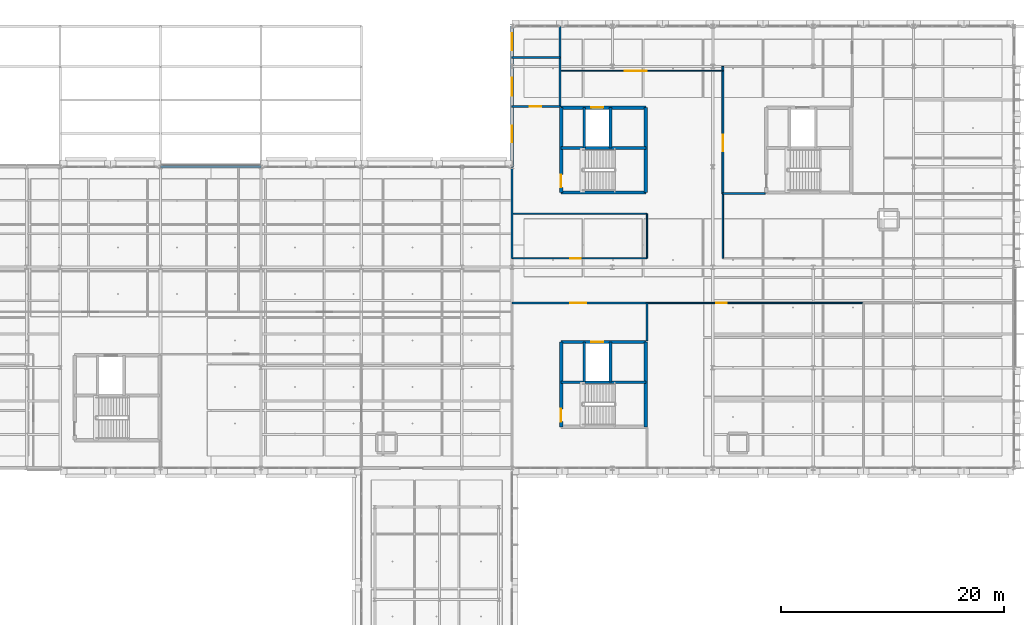
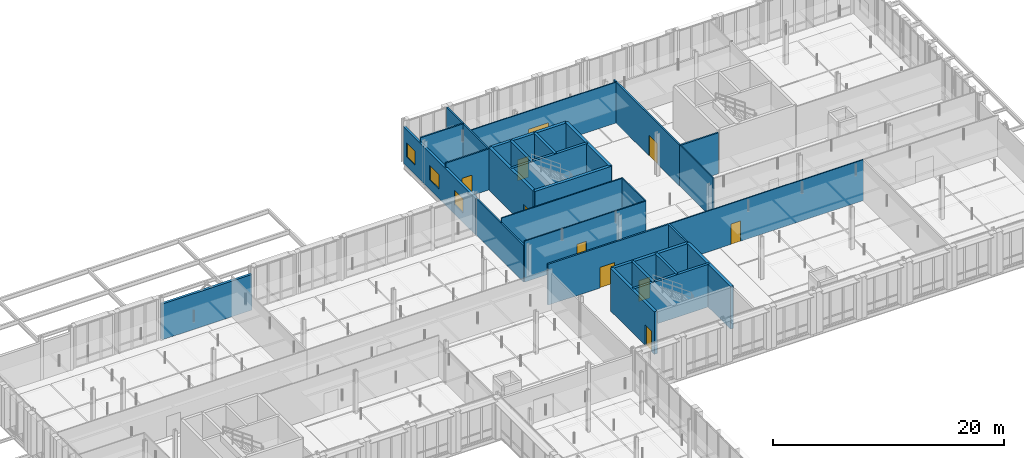
# One storey, part 92 of 140: 29 walls, 10 doors, 3 windows, 13 openings.
"""IFC4 building model written with IfcOpenShell, lengths in metres."""

import ifcopenshell
import ifcopenshell.guid

model = None  # the IFC model being written
_history = None  # IfcOwnerHistory: only IFC2X3 demands one
_inside = {}  # id of a spatial element -> (the spatial element, [elements in it])
_under = {}  # id of a project, library or spatial element -> (it, [spatial elements below it])
_declared = {}  # id of a project -> (the project, [libraries it declares])
_typed = {}  # id of a type object -> (the type object, [elements of that type])
_made_of = {}  # id of a material, layer set ... -> (it, [elements and type objects made of it])


def new_model(schema):
    """Start an empty IFC model of exactly this schema.

    Asked for "IFC4X3", IfcOpenShell would pick the latest addendum, in which some entities
    have other attributes; the version numbers below select the first issue.
    IFC2X3 requires an IfcOwnerHistory on every rooted entity: one is made here for all.
    """
    global model, _history
    if schema == "IFC4X3":
        model = ifcopenshell.file(schema_version=(4, 3, 0, 0))
    else:
        model = ifcopenshell.file(schema=schema)
    _inside.clear()
    _under.clear()
    _declared.clear()
    _typed.clear()
    _made_of.clear()
    _history = None
    if model.schema == "IFC2X3":
        org = make("IfcOrganization", Name="unknown")
        user = make(
            "IfcPersonAndOrganization",
            ThePerson=make("IfcPerson", FamilyName="unknown"),
            TheOrganization=org,
        )
        app = make(
            "IfcApplication",
            ApplicationDeveloper=org,
            Version="unknown",
            ApplicationFullName="unknown",
            ApplicationIdentifier="unknown",
        )
        _history = make(
            "IfcOwnerHistory",
            OwningUser=user,
            OwningApplication=app,
            ChangeAction="ADDED",
            CreationDate=0,
        )
    return model


def make(cls, **values):
    """One entity of the class cls with the attributes given. An attribute that is None is left unset."""
    return model.create_entity(
        cls, **{name: value for name, value in values.items() if value is not None}
    )


def rooted(cls, **values):
    """An entity with a GlobalId (a new one), such as an element, a storey or a relation."""
    return make(cls, GlobalId=ifcopenshell.guid.new(), OwnerHistory=_history, **values)


def si_unit(unit_type, name, prefix=None):
    """IfcSIUnit, for example si_unit("LENGTHUNIT", "METRE", prefix="MILLI")."""
    return make("IfcSIUnit", UnitType=unit_type, Prefix=prefix, Name=name)


def assignment(units):
    """IfcUnitAssignment: the units of a project."""
    return None if units is None else make("IfcUnitAssignment", Units=units)


def point(xyz):
    """IfcCartesianPoint."""
    return None if xyz is None else make("IfcCartesianPoint", Coordinates=xyz)


def direction(xyz):
    """IfcDirection."""
    return None if xyz is None else make("IfcDirection", DirectionRatios=xyz)


def frame(location, z_axis=None, x_axis=None):
    """IfcAxis2Placement3D, a coordinate frame: its origin and axes. An axis left out is left unset."""
    return make(
        "IfcAxis2Placement3D",
        Location=point(location),
        Axis=direction(z_axis),
        RefDirection=direction(x_axis),
    )


def frame_2d(location, x_axis=None):
    """IfcAxis2Placement2D, a coordinate frame in the plane: its origin and x axis."""
    return make(
        "IfcAxis2Placement2D", Location=point(location), RefDirection=direction(x_axis)
    )


def origin():
    """The frame at (0, 0, 0) with its axes left unset."""
    return frame((0.0, 0.0, 0.0))


def place(relative_to, where):
    """IfcLocalPlacement: puts the frame where relative to a parent placement (None: the world)."""
    return make(
        "IfcLocalPlacement", PlacementRelTo=relative_to, RelativePlacement=where
    )


def context(
    kind, dimensions, precision=None, world=None, true_north=None, identifier=None
):
    """IfcGeometricRepresentationContext, for example the 3D "Model" context."""
    return make(
        "IfcGeometricRepresentationContext",
        ContextIdentifier=identifier,
        ContextType=kind,
        CoordinateSpaceDimension=dimensions,
        Precision=precision,
        WorldCoordinateSystem=world,
        TrueNorth=true_north,
    )


def subcontext(parent, identifier, kind, view, scale=None):
    """IfcGeometricRepresentationSubContext, for example "Body" below "Model"."""
    return make(
        "IfcGeometricRepresentationSubContext",
        ContextIdentifier=identifier,
        ContextType=kind,
        ParentContext=parent,
        TargetScale=scale,
        TargetView=view,
    )


def project(units=None, contexts=None):
    """IfcProject with its units and contexts."""
    return rooted(
        "IfcProject",
        Name="project",
        RepresentationContexts=contexts,
        UnitsInContext=assignment(units),
    )


def spatial(cls, under=None, at=None, **own):
    """A site, building, storey or space (cls), placed at a placement, below another one or the project."""
    s = rooted(cls, ObjectPlacement=at, **own)
    if under is not None:
        _under.setdefault(under.id(), (under, []))[1].append(s)
    return s


def profile(cls, at=None, kind="AREA", **sizes):
    """A parametric profile (cls). Its sizes go by their IFC names, for example OverallWidth=200.0."""
    return make(cls, ProfileType=kind, Position=at, **sizes)


def rectangle(**sizes):
    """IfcRectangleProfileDef."""
    return profile("IfcRectangleProfileDef", **sizes)


def extrude(swept, where, along, depth):
    """IfcExtrudedAreaSolid: the profile swept, set in the frame where, extruded along a direction by depth."""
    return make(
        "IfcExtrudedAreaSolid",
        SweptArea=swept,
        Position=where,
        ExtrudedDirection=direction(along),
        Depth=depth,
    )


def shape(context_of_items, identifier, shape_type, items):
    """IfcShapeRepresentation: the items that make up one representation, for example the "Body"."""
    return make(
        "IfcShapeRepresentation",
        ContextOfItems=context_of_items,
        RepresentationIdentifier=identifier,
        RepresentationType=shape_type,
        Items=items,
    )


def material(Name=None, Category=None):
    """IfcMaterial."""
    return make("IfcMaterial", Name=Name, Category=Category)


def layer(
    of_material, thickness, ventilated=None, Name=None, Category=None, Priority=None
):
    """IfcMaterialLayer: one layer of a wall or slab, of a material (None: an air gap)."""
    return make(
        "IfcMaterialLayer",
        Material=of_material,
        LayerThickness=thickness,
        IsVentilated=ventilated,
        Name=Name,
        Category=Category,
        Priority=Priority,
    )


def layer_set(layers, Name=None):
    """IfcMaterialLayerSet."""
    return make("IfcMaterialLayerSet", MaterialLayers=layers, LayerSetName=Name)


def made_of(thing, what):
    """Note that an element or type object is made of a material, layer set ...; save() writes the relation."""
    if what is not None:
        _made_of.setdefault(what.id(), (what, []))[1].append(thing)
    return thing


def type_object(cls, material=None, **own):
    """A type object (cls), such as IfcWallType, which elements share."""
    return made_of(rooted(cls, **own), material)


def element(
    cls,
    number,
    at=None,
    inside=None,
    cuts=None,
    type_object=None,
    material=None,
    context=None,
    identifier="Body",
    shape_type=None,
    held_by="IfcProductDefinitionShape",
    body=None,
    shapes=None,
    **own,
):
    """One element of the class cls, such as IfcWall. Its Tag is "e" and its number.

    at: its placement. inside: the storey or other place that contains it. cuts: it is an
    opening in that element (IfcRelVoidsElement). A single representation is given by context,
    identifier, shape_type and body (its items); several are given by shapes. held_by: the class
    of the entity that holds the representations. save() writes the other relations.
    """
    e = rooted(cls, Tag="e%d" % number, ObjectPlacement=at, **own)
    if body is not None:
        shapes = [shape(context, identifier, shape_type, body)]
    if shapes is not None:
        e.Representation = make(held_by, Representations=shapes)
    if inside is not None:
        _inside.setdefault(inside.id(), (inside, []))[1].append(e)
    if cuts is not None:
        rooted(
            "IfcRelVoidsElement", RelatingBuildingElement=cuts, RelatedOpeningElement=e
        )
    if type_object is not None:
        _typed.setdefault(type_object.id(), (type_object, []))[1].append(e)
    return made_of(e, material)


def fill(opening, filler):
    """IfcRelFillsElement: the door or window that sits in an opening."""
    return rooted(
        "IfcRelFillsElement",
        RelatingOpeningElement=opening,
        RelatedBuildingElement=filler,
    )


def aggregate(whole, parts):
    """IfcRelAggregates: a whole, such as a stair, and the parts it consists of."""
    return rooted("IfcRelAggregates", RelatingObject=whole, RelatedObjects=parts)


def save(model, path):
    """Write the relations noted so far, then the file.

    IfcRelAggregates (storeys below a building ...), IfcRelContainedInSpatialStructure (elements
    in a storey), IfcRelDefinesByType, IfcRelAssociatesMaterial and IfcRelDeclares: one each for
    every whole, place, type object, material and project.
    """
    for whole, parts in _under.values():
        aggregate(whole, parts)
    for where, things in _inside.values():
        rooted(
            "IfcRelContainedInSpatialStructure",
            RelatedElements=things,
            RelatingStructure=where,
        )
    for kind, things in _typed.values():
        rooted("IfcRelDefinesByType", RelatedObjects=things, RelatingType=kind)
    for what, things in _made_of.values():
        rooted("IfcRelAssociatesMaterial", RelatedObjects=things, RelatingMaterial=what)
    for by, libraries in _declared.values():
        rooted("IfcRelDeclares", RelatingContext=by, RelatedDefinitions=libraries)
    model.write(path)


model = new_model("IFC4")

# Units and contexts
model_context = context("Model", 3, precision=1e-05, world=origin(), true_north=direction((0.0, 1.0)))
body_context = subcontext(model_context, "Body", "Model", "MODEL_VIEW")
ifc_project = project(units=[si_unit("LENGTHUNIT", "METRE"), si_unit("AREAUNIT", "SQUARE_METRE"), si_unit("VOLUMEUNIT", "CUBIC_METRE"), si_unit("PLANEANGLEUNIT", "RADIAN"), si_unit("MASSUNIT", "GRAM", prefix="KILO"), si_unit("THERMODYNAMICTEMPERATUREUNIT", "KELVIN"), si_unit("POWERUNIT", "WATT")], contexts=[model_context])

# Site, building, storey
site_placement = place(None, origin())
site = spatial("IfcSite", under=ifc_project, at=site_placement, CompositionType="ELEMENT")
building_placement = place(site_placement, origin())
building = spatial("IfcBuilding", under=site, at=building_placement, Name="Tallowbark Science Centre", CompositionType="ELEMENT")
storey_placement = place(building_placement, frame((0.0, 0.0, 9.89990234375)))
storey = spatial("IfcBuildingStorey", under=building, at=storey_placement, Name="L02", CompositionType="ELEMENT", Elevation=9.89990234375)

# Wall
ifc_material_1 = material(Name="Insulated Precast Concrete Panel Grade N40 (40 MPa)", Category="concrete")
ifc_layer_1 = layer(ifc_material_1, 0.25)
ifc_layer_set_1 = layer_set([ifc_layer_1], Name="Insulated Precast Concrete Panel Grade N40 (40 MPa)")
wall_type_1 = type_object("IfcWallType", Name="EWL-PRC-250", PredefinedType="STANDARD", material=ifc_layer_set_1)
wall_1_placement = place(storey_placement, frame((90.0, 99.0, 0.0), z_axis=(0.0, 0.0, 1.0), x_axis=(-1.0, 0.0, 0.0)))
element("IfcWall", 1, at=wall_1_placement, inside=storey, type_object=wall_type_1, Name="Exterior Wall LAB-N-L02-81", PredefinedType="STANDARD", context=body_context, shape_type="SweptSolid", body=[
    extrude(rectangle(XDim=9.0, YDim=0.25, at=frame_2d((4.5, 0.0))), origin(), (0.0, 0.0, 1.0), 3.76708984375),
])

# Wall, openings, windows
wall_2_placement = place(storey_placement, frame((112.5, 111.60009765625, 0.0), z_axis=(0.0, 0.0, 1.0), x_axis=(0.0, -1.0, 0.0)))
wall_2 = element("IfcWall", 2, at=wall_2_placement, inside=storey, type_object=wall_type_1, Name="Exterior Wall OBS-WN-L02", PredefinedType="STANDARD", context=body_context, shape_type="SweptSolid", body=[
    extrude(rectangle(XDim=12.60009765625, YDim=0.25, at=frame_2d((6.300048828125, 0.0))), origin(), (0.0, 0.0, 1.0), 3.84619140625),
])
opening_1_placement = place(wall_2_placement, frame((0.64990234375, 0.0, 1.0)))
opening_1 = element("IfcOpeningElement", 3, at=opening_1_placement, cuts=wall_2, Name="Opening W-08", PredefinedType="OPENING", context=body_context, shape_type="SweptSolid", body=[
    extrude(rectangle(XDim=1.5, YDim=1.5, at=frame_2d((0.75, 0.75))), frame((0.0, 0.135009765625, 0.0), z_axis=(0.0, -1.0, 0.0), x_axis=(1.0, 0.0, 0.0)), (0.0, 0.0, 1.0), 0.27001953125),
])
opening_2_placement = place(wall_2_placement, frame((8.89990234375, 0.0, 1.0)))
opening_2 = element("IfcOpeningElement", 4, at=opening_2_placement, cuts=wall_2, Name="Opening W-08", PredefinedType="OPENING", context=body_context, shape_type="SweptSolid", body=[
    extrude(rectangle(XDim=1.5, YDim=1.5, at=frame_2d((0.75, 0.75))), frame((0.0, 0.135009765625, 0.0), z_axis=(0.0, -1.0, 0.0), x_axis=(1.0, 0.0, 0.0)), (0.0, 0.0, 1.0), 0.27001953125),
])
opening_3_placement = place(wall_2_placement, frame((4.60009765625, 0.0, 1.0)))
opening_3 = element("IfcOpeningElement", 5, at=opening_3_placement, cuts=wall_2, Name="Opening WS-08", PredefinedType="OPENING", context=body_context, shape_type="SweptSolid", body=[
    extrude(rectangle(XDim=1.64990234375, YDim=1.550048828125, at=frame_2d((0.824951171875, 0.77490234375))), frame((0.0, 0.135009765625, 0.0), z_axis=(0.0, -1.0, 0.0), x_axis=(1.0, 0.0, 0.0)), (0.0, 0.0, 1.0), 0.27001953125),
])
ifc_material_2 = material(Name="Thermally Broken Aluminium and Low-E Double Glazing", Category="aluminium")
window_type_1 = type_object("IfcWindowType", Name="WIN-F150x150", PartitioningType="SINGLE_PANEL", PredefinedType="WINDOW", material=ifc_material_2)
window_1_placement = place(opening_1_placement, origin())
window_1 = element("IfcWindow", 6, at=window_1_placement, inside=storey, type_object=window_type_1, Name="Window WIN-L02-0045", OverallHeight=1.5, OverallWidth=1.5, PartitioningType="SINGLE_PANEL", PredefinedType="WINDOW", context=body_context, shape_type="SweptSolid", body=[
    extrude(rectangle(XDim=1.5, YDim=1.5, at=frame_2d((0.75, 0.75))), frame((0.0, 0.030029296875, 0.0), z_axis=(0.0, -1.0, 0.0), x_axis=(1.0, 0.0, 0.0)), (0.0, 0.0, 1.0), 0.06005859375),
])
fill(opening_1, window_1)
window_2_placement = place(opening_2_placement, origin())
window_2 = element("IfcWindow", 7, at=window_2_placement, inside=storey, type_object=window_type_1, Name="Window WIN-L02-0046", OverallHeight=1.5, OverallWidth=1.5, PartitioningType="SINGLE_PANEL", PredefinedType="WINDOW", context=body_context, shape_type="SweptSolid", body=[
    extrude(rectangle(XDim=1.5, YDim=1.5, at=frame_2d((0.75, 0.75))), frame((0.0, 0.030029296875, 0.0), z_axis=(0.0, -1.0, 0.0), x_axis=(1.0, 0.0, 0.0)), (0.0, 0.0, 1.0), 0.06005859375),
])
fill(opening_2, window_2)
window_type_2 = type_object("IfcWindowType", Name="WIN-SP-165x155", PartitioningType="SINGLE_PANEL", PredefinedType="WINDOW", material=ifc_material_2)
window_3_placement = place(opening_3_placement, origin())
window_3 = element("IfcWindow", 8, at=window_3_placement, inside=storey, type_object=window_type_2, Name="Acoustic Window WSP-08", OverallHeight=1.550048828125, OverallWidth=1.64990234375, PartitioningType="SINGLE_PANEL", PredefinedType="WINDOW", context=body_context, shape_type="SweptSolid", body=[
    extrude(rectangle(XDim=1.64990234375, YDim=1.550048828125, at=frame_2d((0.824951171875, 0.77490234375))), frame((0.0, 0.030029296875, 0.0), z_axis=(0.0, -1.0, 0.0), x_axis=(1.0, 0.0, 0.0)), (0.0, 0.0, 1.0), 0.06005859375),
])
fill(opening_3, window_3)

# Wall, opening, door
ifc_material_3 = material(Name="116 mm Acoustic Steel Stud and 16 mm Fire-Rated Plasterboard", Category="steel")
ifc_layer_2 = layer(ifc_material_3, 0.115966796875)
ifc_layer_set_2 = layer_set([ifc_layer_2], Name="116 mm Acoustic Steel Stud and 16 mm Fire-Rated Plasterboard")
wall_type_2 = type_object("IfcWallType", Name="PTW-116", PredefinedType="PARTITIONING", material=ifc_layer_set_2)
wall_3_placement = place(storey_placement, frame((112.5, 90.800048828125, 0.0), z_axis=(0.0, 0.0, 1.0), x_axis=(1.0, 0.0, 0.0)))
wall_3 = element("IfcWall", 9, at=wall_3_placement, inside=storey, type_object=wall_type_2, Name="Interior Partition PTW-L02-0235", PredefinedType="PARTITIONING", context=body_context, shape_type="SweptSolid", body=[
    extrude(rectangle(XDim=12.10009765625, YDim=0.115966796875, at=frame_2d((6.050048828125, 0.0))), origin(), (0.0, 0.0, 1.0), 4.320068359375),
])
opening_4_placement = place(wall_3_placement, frame((5.199951171875, 0.0, 0.0)))
opening_4 = element("IfcOpeningElement", 10, at=opening_4_placement, cuts=wall_3, Name="Opening ID-04", PredefinedType="OPENING", context=body_context, shape_type="SweptSolid", body=[
    extrude(rectangle(XDim=0.949951171875, YDim=2.14990234375, at=frame_2d((0.47509765625, 1.074951171875))), frame((0.0, 0.06787109375, 0.0), z_axis=(0.0, -1.0, 0.0), x_axis=(1.0, 0.0, 0.0)), (0.0, 0.0, 1.0), 0.135986328125),
])
ifc_material_4 = material(Name="Solid-Core Timber Veneer Leaf", Category="wood")
door_type_1 = type_object("IfcDoorType", Name="IDR-OFF-095", OperationType="NOTDEFINED", PredefinedType="DOOR", material=ifc_material_4)
door_1_placement = place(opening_4_placement, origin())
door_1 = element("IfcDoor", 11, at=door_1_placement, inside=storey, type_object=door_type_1, Name="Interior Door IDR-L02-0102", OperationType="SINGLE_SWING_LEFT", OverallHeight=2.14990234375, OverallWidth=0.949951171875, PredefinedType="DOOR", context=body_context, shape_type="SweptSolid", body=[
    extrude(rectangle(XDim=0.949951171875, YDim=2.14990234375, at=frame_2d((0.47509765625, 1.074951171875))), frame((0.0, 0.02490234375, 0.0), z_axis=(0.0, -1.0, 0.0), x_axis=(1.0, 0.0, 0.0)), (0.0, 0.0, 1.0), 0.050048828125),
])
fill(opening_4, door_1)

# Walls
wall_4_placement = place(storey_placement, frame((112.5, 94.800048828125, 0.0), z_axis=(0.0, 0.0, 1.0), x_axis=(1.0, 0.0, 0.0)))
element("IfcWall", 12, at=wall_4_placement, inside=storey, type_object=wall_type_2, Name="Interior Partition PTW-L02-0236", PredefinedType="PARTITIONING", context=body_context, shape_type="SweptSolid", body=[
    extrude(rectangle(XDim=12.10009765625, YDim=0.115966796875, at=frame_2d((6.050048828125, 0.0))), origin(), (0.0, 0.0, 1.0), 4.320068359375),
])
wall_5_placement = place(storey_placement, frame((124.60009765625, 90.800048828125, 0.0), z_axis=(0.0, 0.0, 1.0), x_axis=(0.0, 1.0, 0.0)))
element("IfcWall", 13, at=wall_5_placement, inside=storey, type_object=wall_type_2, Name="Interior Partition PTW-L02-0237", PredefinedType="PARTITIONING", context=body_context, shape_type="SweptSolid", body=[
    extrude(rectangle(XDim=4.0, YDim=0.115966796875, at=frame_2d((2.0, 0.0))), origin(), (0.0, 0.0, 1.0), 4.320068359375),
])
wall_6_placement = place(storey_placement, frame((131.39990234375, 90.800048828125, 0.0), z_axis=(0.0, 0.0, 1.0), x_axis=(0.0, 1.0, 0.0)))
element("IfcWall", 14, at=wall_6_placement, inside=storey, type_object=wall_type_2, Name="Interior Partition PTW-L02-0243", PredefinedType="PARTITIONING", context=body_context, shape_type="SweptSolid", body=[
    extrude(rectangle(XDim=5.800048828125, YDim=0.115966796875, at=frame_2d((2.89990234375, 0.0))), origin(), (0.0, 0.0, 1.0), 4.320068359375),
])

# Wall, opening, door
ifc_material_5 = material(Name="150 mm Wet-Area Moisture-Resistant Partition")
ifc_layer_3 = layer(ifc_material_5, 0.14990234375)
ifc_layer_set_3 = layer_set([ifc_layer_3], Name="150 mm Wet-Area Moisture-Resistant Partition")
wall_type_3 = type_object("IfcWallType", Name="PTW-150", PredefinedType="PARTITIONING", material=ifc_layer_set_3)
wall_7_placement = place(storey_placement, frame((112.5, 104.39990234375, 0.0), z_axis=(0.0, 0.0, 1.0), x_axis=(1.0, 0.0, 0.0)))
wall_7 = element("IfcWall", 15, at=wall_7_placement, inside=storey, type_object=wall_type_3, Name="Interior Partition PTW-L02-0238", PredefinedType="PARTITIONING", context=body_context, shape_type="SweptSolid", body=[
    extrude(rectangle(XDim=4.300048828125, YDim=0.14990234375, at=frame_2d((2.14990234375, 0.0))), origin(), (0.0, 0.0, 1.0), 4.320068359375),
])
opening_5_placement = place(wall_7_placement, frame((1.60009765625, 0.0, 0.0)))
opening_5 = element("IfcOpeningElement", 16, at=opening_5_placement, cuts=wall_7, Name="Opening ID-06", PredefinedType="OPENING", context=body_context, shape_type="SweptSolid", body=[
    extrude(rectangle(XDim=1.0, YDim=2.14990234375, at=frame_2d((0.5, 1.074951171875))), frame((0.0, 0.0849609375, 0.0), z_axis=(0.0, -1.0, 0.0), x_axis=(1.0, 0.0, 0.0)), (0.0, 0.0, 1.0), 0.169921875),
])
ifc_material_6 = material(Name="Accessible Cavity Sliding Leaf")
door_type_2 = type_object("IfcDoorType", Name="IDR-AWC-100", OperationType="SLIDING_TO_LEFT", PredefinedType="DOOR", material=ifc_material_6)
door_2_placement = place(opening_5_placement, origin())
door_2 = element("IfcDoor", 17, at=door_2_placement, inside=storey, type_object=door_type_2, Name="Interior Door IDR-L02-0103", OperationType="SLIDING_TO_LEFT", OverallHeight=2.14990234375, OverallWidth=1.0, PredefinedType="DOOR", context=body_context, shape_type="SweptSolid", body=[
    extrude(rectangle(XDim=1.0, YDim=2.14990234375, at=frame_2d((0.5, 1.074951171875))), frame((0.0, 0.02490234375, 0.0), z_axis=(0.0, -1.0, 0.0), x_axis=(1.0, 0.0, 0.0)), (0.0, 0.0, 1.0), 0.050048828125),
])
fill(opening_5, door_2)

# Walls
wall_8_placement = place(storey_placement, frame((112.5, 108.800048828125, 0.0), z_axis=(0.0, 0.0, 1.0), x_axis=(1.0, 0.0, 0.0)))
element("IfcWall", 18, at=wall_8_placement, inside=storey, type_object=wall_type_3, Name="Interior Partition PTW-L02-0239", PredefinedType="PARTITIONING", context=body_context, shape_type="SweptSolid", body=[
    extrude(rectangle(XDim=4.300048828125, YDim=0.14990234375, at=frame_2d((2.14990234375, 0.0))), origin(), (0.0, 0.0, 1.0), 4.320068359375),
])
wall_9_placement = place(storey_placement, frame((116.800048828125, 104.39990234375, 0.0), z_axis=(0.0, 0.0, 1.0), x_axis=(0.0, 1.0, 0.0)))
element("IfcWall", 19, at=wall_9_placement, inside=storey, type_object=wall_type_3, Name="Interior Partition PTW-L02-0240", PredefinedType="PARTITIONING", context=body_context, shape_type="SweptSolid", body=[
    extrude(rectangle(XDim=7.2001953125, YDim=0.14990234375, at=frame_2d((3.60009765625, 0.0))), origin(), (0.0, 0.0, 1.0), 4.320068359375),
])
ifc_material_7 = material(Name="162 mm Double-Stud Fire-Rated Corridor Partition")
ifc_layer_4 = layer(ifc_material_7, 0.162109375)
ifc_layer_set_4 = layer_set([ifc_layer_4], Name="162 mm Double-Stud Fire-Rated Corridor Partition")
wall_type_4 = type_object("IfcWallType", Name="PTW-162", PredefinedType="PARTITIONING", material=ifc_layer_set_4)
wall_10_placement = place(storey_placement, frame((112.5, 90.800048828125, 0.0), z_axis=(0.0, 0.0, 1.0), x_axis=(0.0, 1.0, 0.0)))
element("IfcWall", 20, at=wall_10_placement, inside=storey, type_object=wall_type_4, Name="Interior Partition PTW-L02-0006", PredefinedType="PARTITIONING", context=body_context, shape_type="SweptSolid", body=[
    extrude(rectangle(XDim=8.199951171875, YDim=0.162109375, at=frame_2d((4.10009765625, 0.0))), origin(), (0.0, 0.0, 1.0), 3.84619140625),
])

# Wall, opening, door
wall_11_placement = place(storey_placement, frame((112.5, 86.800048828125, 0.0), z_axis=(0.0, 0.0, 1.0), x_axis=(1.0, 0.0, 0.0)))
wall_11 = element("IfcWall", 21, at=wall_11_placement, inside=storey, type_object=wall_type_4, Name="Interior Partition PTW-L02-0030", PredefinedType="PARTITIONING", context=body_context, shape_type="SweptSolid", body=[
    extrude(rectangle(XDim=12.10009765625, YDim=0.162109375, at=frame_2d((6.050048828125, 0.0))), origin(), (0.0, 0.0, 1.0), 4.320068359375),
])
opening_6_placement = place(wall_11_placement, frame((5.199951171875, 0.0, 0.0)))
opening_6 = element("IfcOpeningElement", 22, at=opening_6_placement, cuts=wall_11, Name="Opening DS-07", PredefinedType="OPENING", context=body_context, shape_type="SweptSolid", body=[
    extrude(rectangle(XDim=1.449951171875, YDim=2.175048828125, at=frame_2d((0.72509765625, 1.08740234375))), frame((0.0, 0.091064453125, 0.0), z_axis=(0.0, -1.0, 0.0), x_axis=(1.0, 0.0, 0.0)), (0.0, 0.0, 1.0), 0.18212890625),
])
ifc_material_8 = material(Name="Fire-Rated Glazed Steel Pair", Category="steel")
door_type_3 = type_object("IfcDoorType", Name="FDR-LOB-145-S07", OperationType="DOUBLE_DOOR_SINGLE_SWING", PredefinedType="DOOR", material=ifc_material_8)
door_3_placement = place(opening_6_placement, origin())
door_3 = element("IfcDoor", 23, at=door_3_placement, inside=storey, type_object=door_type_3, Name="Interior Door IDR-L02-0007", OperationType="DOUBLE_DOOR_SINGLE_SWING", OverallHeight=2.175048828125, OverallWidth=1.449951171875, PredefinedType="DOOR", context=body_context, shape_type="SweptSolid", body=[
    extrude(rectangle(XDim=1.449951171875, YDim=2.175048828125, at=frame_2d((0.72509765625, 1.08740234375))), frame((0.0, 0.02490234375, 0.0), z_axis=(0.0, -1.0, 0.0), x_axis=(1.0, 0.0, 0.0)), (0.0, 0.0, 1.0), 0.050048828125),
])
fill(opening_6, door_3)

# Wall
wall_12_placement = place(storey_placement, frame((124.60009765625, 83.39990234375, 0.0), z_axis=(0.0, 0.0, 1.0), x_axis=(0.0, 1.0, 0.0)))
element("IfcWall", 24, at=wall_12_placement, inside=storey, type_object=wall_type_4, Name="Interior Partition PTW-L02-0031", PredefinedType="PARTITIONING", context=body_context, shape_type="SweptSolid", body=[
    extrude(rectangle(XDim=3.400146484375, YDim=0.162109375, at=frame_2d((1.7001953125, 0.0))), origin(), (0.0, 0.0, 1.0), 4.320068359375),
])

# Wall, opening, door
wall_13_placement = place(storey_placement, frame((131.39990234375, 96.60009765625, 0.0), z_axis=(0.0, 0.0, 1.0), x_axis=(0.0, 1.0, 0.0)))
wall_13 = element("IfcWall", 25, at=wall_13_placement, inside=storey, type_object=wall_type_4, Name="Interior Partition PTW-L02-0033", PredefinedType="PARTITIONING", context=body_context, shape_type="SweptSolid", body=[
    extrude(rectangle(XDim=11.39990234375, YDim=0.162109375, at=frame_2d((5.699951171875, 0.0))), origin(), (0.0, 0.0, 1.0), 4.320068359375),
])
opening_7_placement = place(wall_13_placement, frame((3.800048828125, 0.0, 0.0)))
opening_7 = element("IfcOpeningElement", 26, at=opening_7_placement, cuts=wall_13, Name="Opening DS-08", PredefinedType="OPENING", context=body_context, shape_type="SweptSolid", body=[
    extrude(rectangle(XDim=1.469970703125, YDim=2.175048828125, at=frame_2d((0.73486328125, 1.08740234375))), frame((0.0, 0.091064453125, 0.0), z_axis=(0.0, -1.0, 0.0), x_axis=(1.0, 0.0, 0.0)), (0.0, 0.0, 1.0), 0.18212890625),
])
door_type_4 = type_object("IfcDoorType", Name="FDR-LOB-145-S08", OperationType="DOUBLE_DOOR_SINGLE_SWING", PredefinedType="DOOR", material=ifc_material_8)
door_4_placement = place(opening_7_placement, origin())
door_4 = element("IfcDoor", 27, at=door_4_placement, inside=storey, type_object=door_type_4, Name="Interior Door IDR-L02-0008", OperationType="DOUBLE_DOOR_SINGLE_SWING", OverallHeight=2.175048828125, OverallWidth=1.469970703125, PredefinedType="DOOR", context=body_context, shape_type="SweptSolid", body=[
    extrude(rectangle(XDim=1.469970703125, YDim=2.175048828125, at=frame_2d((0.73486328125, 1.08740234375))), frame((0.0, 0.02490234375, 0.0), z_axis=(0.0, -1.0, 0.0), x_axis=(1.0, 0.0, 0.0)), (0.0, 0.0, 1.0), 0.050048828125),
])
fill(opening_7, door_4)

# Wall
wall_14_placement = place(storey_placement, frame((131.39990234375, 96.60009765625, 0.0), z_axis=(0.0, 0.0, 1.0), x_axis=(1.0, 0.0, 0.0)))
element("IfcWall", 28, at=wall_14_placement, inside=storey, type_object=wall_type_4, Name="Interior Partition PTW-L02-0034", PredefinedType="PARTITIONING", context=body_context, shape_type="SweptSolid", body=[
    extrude(rectangle(XDim=3.800048828125, YDim=0.162109375, at=frame_2d((1.89990234375, 0.0))), origin(), (0.0, 0.0, 1.0), 4.320068359375),
])

# Wall, opening, door
ifc_material_9 = material(Name="108 mm Acoustic Double-Glazed Laboratory Partition")
ifc_layer_5 = layer(ifc_material_9, 0.10791015625)
ifc_layer_set_5 = layer_set([ifc_layer_5], Name="108 mm Acoustic Double-Glazed Laboratory Partition")
wall_type_5 = type_object("IfcWallType", Name="PTW-GLZ-108", PredefinedType="PARTITIONING", material=ifc_layer_set_5)
wall_15_placement = place(storey_placement, frame((124.60009765625, 86.800048828125, 0.0), z_axis=(0.0, 0.0, 1.0), x_axis=(1.0, 0.0, 0.0)))
wall_15 = element("IfcWall", 29, at=wall_15_placement, inside=storey, type_object=wall_type_5, Name="Interior Partition PTW-L02-0232", PredefinedType="PARTITIONING", context=body_context, shape_type="SweptSolid", body=[
    extrude(rectangle(XDim=19.39990234375, YDim=0.10791015625, at=frame_2d((9.699951171875, 0.0))), origin(), (0.0, 0.0, 1.0), 4.320068359375),
])
opening_8_placement = place(wall_15_placement, frame((6.199951171875, 0.0, 0.0)))
opening_8 = element("IfcOpeningElement", 30, at=opening_8_placement, cuts=wall_15, Name="Opening ID-04", PredefinedType="OPENING", context=body_context, shape_type="SweptSolid", body=[
    extrude(rectangle(XDim=0.949951171875, YDim=2.14990234375, at=frame_2d((0.47509765625, 1.074951171875))), frame((0.0, 0.06396484375, 0.0), z_axis=(0.0, -1.0, 0.0), x_axis=(1.0, 0.0, 0.0)), (0.0, 0.0, 1.0), 0.1279296875),
])
door_5_placement = place(opening_8_placement, origin())
door_5 = element("IfcDoor", 31, at=door_5_placement, inside=storey, type_object=door_type_1, Name="Interior Door IDR-L02-0100", OperationType="SINGLE_SWING_RIGHT", OverallHeight=2.14990234375, OverallWidth=0.949951171875, PredefinedType="DOOR", context=body_context, shape_type="SweptSolid", body=[
    extrude(rectangle(XDim=0.949951171875, YDim=2.14990234375, at=frame_2d((0.47509765625, 1.074951171875))), frame((0.0, 0.02490234375, 0.0), z_axis=(0.0, -1.0, 0.0), x_axis=(1.0, 0.0, 0.0)), (0.0, 0.0, 1.0), 0.050048828125),
])
fill(opening_8, door_5)

wall_16_placement = place(storey_placement, frame((116.800048828125, 107.60009765625, 0.0), z_axis=(0.0, 0.0, 1.0), x_axis=(1.0, 0.0, 0.0)))
wall_16 = element("IfcWall", 32, at=wall_16_placement, inside=storey, type_object=wall_type_5, Name="Interior Partition PTW-L02-0241", PredefinedType="PARTITIONING", context=body_context, shape_type="SweptSolid", body=[
    extrude(rectangle(XDim=14.599853515625, YDim=0.10791015625, at=frame_2d((7.2998046875, 0.0))), origin(), (0.0, 0.0, 1.0), 4.320068359375),
])
opening_9_placement = place(wall_16_placement, frame((5.800048828125, 0.0, 0.0)))
opening_9 = element("IfcOpeningElement", 33, at=opening_9_placement, cuts=wall_16, Name="Opening ID-02", PredefinedType="OPENING", context=body_context, shape_type="SweptSolid", body=[
    extrude(rectangle(XDim=2.0, YDim=2.39990234375, at=frame_2d((1.0, 1.199951171875))), frame((0.0, 0.06396484375, 0.0), z_axis=(0.0, -1.0, 0.0), x_axis=(1.0, 0.0, 0.0)), (0.0, 0.0, 1.0), 0.1279296875),
])
ifc_material_10 = material(Name="Spotted Gum Acoustic Gallery Pair", Category="wood")
door_type_5 = type_object("IfcDoorType", Name="IDR-GAL-200", OperationType="DOUBLE_DOOR_DOUBLE_SWING", PredefinedType="DOOR", material=ifc_material_10)
door_6_placement = place(opening_9_placement, origin())
door_6 = element("IfcDoor", 34, at=door_6_placement, inside=storey, type_object=door_type_5, Name="Interior Door IDR-L02-0104", OperationType="DOUBLE_DOOR_DOUBLE_SWING", OverallHeight=2.39990234375, OverallWidth=2.0, PredefinedType="DOOR", context=body_context, shape_type="SweptSolid", body=[
    extrude(rectangle(XDim=2.0, YDim=2.39990234375, at=frame_2d((1.0, 1.199951171875))), frame((0.0, 0.02490234375, 0.0), z_axis=(0.0, -1.0, 0.0), x_axis=(1.0, 0.0, 0.0)), (0.0, 0.0, 1.0), 0.050048828125),
])
fill(opening_9, door_6)

ifc_material_11 = material(Name="Concrete Grade N40 (40 MPa)", Category="concrete")
ifc_layer_6 = layer(ifc_material_11, 0.300048828125)
ifc_layer_set_6 = layer_set([ifc_layer_6], Name="Concrete Grade N40 (40 MPa)")
wall_type_6 = type_object("IfcWallType", Name="WL-CORE-300", PredefinedType="SHEAR", material=ifc_layer_set_6)
wall_17_placement = place(storey_placement, frame((116.89990234375, 75.699951171875, 0.0), z_axis=(0.0, 0.0, 1.0), x_axis=(0.0, 1.0, 0.0)))
wall_17 = element("IfcWall", 35, at=wall_17_placement, inside=storey, type_object=wall_type_6, Name="Core C2 Shear Wall L02 W", PredefinedType="SHEAR", context=body_context, shape_type="SweptSolid", body=[
    extrude(rectangle(XDim=7.60009765625, YDim=0.300048828125, at=frame_2d((3.800048828125, 0.0))), origin(), (0.0, 0.0, 1.0), 4.5),
])
opening_10_placement = place(wall_17_placement, frame((0.449951171875, 0.0, 0.0)))
opening_10 = element("IfcOpeningElement", 36, at=opening_10_placement, cuts=wall_17, Name="Opening FD-01", PredefinedType="OPENING", context=body_context, shape_type="SweptSolid", body=[
    extrude(rectangle(XDim=1.14990234375, YDim=2.14990234375, at=frame_2d((0.574951171875, 1.074951171875))), frame((0.0, 0.16015625, 0.0), z_axis=(0.0, -1.0, 0.0), x_axis=(1.0, 0.0, 0.0)), (0.0, 0.0, 1.0), 0.320068359375),
])
ifc_material_12 = material(Name="Fire-Rated Pressed Steel Frame and Solid Core Leaf", Category="steel")
door_type_6 = type_object("IfcDoorType", Name="FDR-STR-115", OperationType="NOTDEFINED", PredefinedType="DOOR", material=ifc_material_12)
door_7_placement = place(opening_10_placement, origin())
door_7 = element("IfcDoor", 37, at=door_7_placement, inside=storey, type_object=door_type_6, Name="Stair ST-02 Fire Door L02", OperationType="SINGLE_SWING_LEFT", OverallHeight=2.14990234375, OverallWidth=1.14990234375, PredefinedType="DOOR", context=body_context, shape_type="SweptSolid", body=[
    extrude(rectangle(XDim=1.14990234375, YDim=2.14990234375, at=frame_2d((0.574951171875, 1.074951171875))), frame((0.0, 0.02490234375, 0.0), z_axis=(0.0, -1.0, 0.0), x_axis=(1.0, 0.0, 0.0)), (0.0, 0.0, 1.0), 0.050048828125),
])
fill(opening_10, door_7)

# Wall
wall_18_placement = place(storey_placement, frame((124.5, 75.699951171875, 0.0), z_axis=(0.0, 0.0, 1.0), x_axis=(0.0, 1.0, 0.0)))
element("IfcWall", 38, at=wall_18_placement, inside=storey, type_object=wall_type_6, Name="Core C2 Shear Wall L02 E", PredefinedType="SHEAR", context=body_context, shape_type="SweptSolid", body=[
    extrude(rectangle(XDim=7.60009765625, YDim=0.300048828125, at=frame_2d((3.800048828125, 0.0))), origin(), (0.0, 0.0, 1.0), 4.5),
])

# Wall, opening, door
wall_19_placement = place(storey_placement, frame((116.89990234375, 83.300048828125, 0.0), z_axis=(0.0, 0.0, 1.0), x_axis=(1.0, 0.0, 0.0)))
wall_19 = element("IfcWall", 39, at=wall_19_placement, inside=storey, type_object=wall_type_6, Name="Core C2 Shear Wall L02 N", PredefinedType="SHEAR", context=body_context, shape_type="SweptSolid", body=[
    extrude(rectangle(XDim=7.60009765625, YDim=0.300048828125, at=frame_2d((3.800048828125, 0.0))), origin(), (0.0, 0.0, 1.0), 4.5),
])
opening_11_placement = place(wall_19_placement, frame((2.699951171875, 0.0, 0.0)))
opening_11 = element("IfcOpeningElement", 40, at=opening_11_placement, cuts=wall_19, Name="Opening LD-01", PredefinedType="OPENING", context=body_context, shape_type="SweptSolid", body=[
    extrude(rectangle(XDim=1.10009765625, YDim=2.199951171875, at=frame_2d((0.550048828125, 1.10009765625))), frame((0.0, 0.16015625, 0.0), z_axis=(0.0, -1.0, 0.0), x_axis=(1.0, 0.0, 0.0)), (0.0, 0.0, 1.0), 0.320068359375),
])
ifc_material_13 = material(Name="Brushed Stainless Steel Centre-Parting Lift Landing Door", Category="steel")
door_type_7 = type_object("IfcDoorType", Name="LDR-LFT-110", OperationType="DOUBLE_DOOR_SLIDING", PredefinedType="DOOR", material=ifc_material_13)
door_8_placement = place(opening_11_placement, origin())
door_8 = element("IfcDoor", 41, at=door_8_placement, inside=storey, type_object=door_type_7, Name="Lift LF-02 Landing Door L02", OperationType="DOUBLE_DOOR_SLIDING", OverallHeight=2.199951171875, OverallWidth=1.10009765625, PredefinedType="DOOR", context=body_context, shape_type="SweptSolid", body=[
    extrude(rectangle(XDim=1.10009765625, YDim=2.199951171875, at=frame_2d((0.550048828125, 1.10009765625))), frame((0.0, 0.02490234375, 0.0), z_axis=(0.0, -1.0, 0.0), x_axis=(1.0, 0.0, 0.0)), (0.0, 0.0, 1.0), 0.050048828125),
])
fill(opening_11, door_8)

wall_20_placement = place(storey_placement, frame((116.89990234375, 96.699951171875, 0.0), z_axis=(0.0, 0.0, 1.0), x_axis=(0.0, 1.0, 0.0)))
wall_20 = element("IfcWall", 42, at=wall_20_placement, inside=storey, type_object=wall_type_6, Name="Core C5 Shear Wall L02 W", PredefinedType="SHEAR", context=body_context, shape_type="SweptSolid", body=[
    extrude(rectangle(XDim=7.60009765625, YDim=0.300048828125, at=frame_2d((3.800048828125, 0.0))), origin(), (0.0, 0.0, 1.0), 4.5),
])
opening_12_placement = place(wall_20_placement, frame((0.449951171875, 0.0, 0.0)))
opening_12 = element("IfcOpeningElement", 43, at=opening_12_placement, cuts=wall_20, Name="Opening FD-01", PredefinedType="OPENING", context=body_context, shape_type="SweptSolid", body=[
    extrude(rectangle(XDim=1.14990234375, YDim=2.14990234375, at=frame_2d((0.574951171875, 1.074951171875))), frame((0.0, 0.16015625, 0.0), z_axis=(0.0, -1.0, 0.0), x_axis=(1.0, 0.0, 0.0)), (0.0, 0.0, 1.0), 0.320068359375),
])
door_9_placement = place(opening_12_placement, origin())
door_9 = element("IfcDoor", 44, at=door_9_placement, inside=storey, type_object=door_type_6, Name="Stair ST-05 Fire Door L02", OperationType="SINGLE_SWING_LEFT", OverallHeight=2.14990234375, OverallWidth=1.14990234375, PredefinedType="DOOR", context=body_context, shape_type="SweptSolid", body=[
    extrude(rectangle(XDim=1.14990234375, YDim=2.14990234375, at=frame_2d((0.574951171875, 1.074951171875))), frame((0.0, 0.02490234375, 0.0), z_axis=(0.0, -1.0, 0.0), x_axis=(1.0, 0.0, 0.0)), (0.0, 0.0, 1.0), 0.050048828125),
])
fill(opening_12, door_9)

# Walls
for number, where, z_axis, x_axis, name in (
    (45, (124.5, 96.699951171875, 0.0), (0.0, 0.0, 1.0), (0.0, 1.0, 0.0), "Core C5 Shear Wall L02 E"),
    (46, (116.89990234375, 96.699951171875, 0.0), (0.0, 0.0, 1.0), (1.0, 0.0, 0.0), "Core C5 Shear Wall L02 S"),
):
    element("IfcWall", number, at=place(storey_placement, frame(where, z_axis=z_axis, x_axis=x_axis)), inside=storey, type_object=wall_type_6, Name=name, PredefinedType="SHEAR", context=body_context, shape_type="SweptSolid", body=[
        extrude(rectangle(XDim=7.60009765625, YDim=0.300048828125, at=frame_2d((3.800048828125, 0.0))), origin(), (0.0, 0.0, 1.0), 4.5),
    ])

# Wall, opening, door
wall_21_placement = place(storey_placement, frame((116.89990234375, 104.300048828125, 0.0), z_axis=(0.0, 0.0, 1.0), x_axis=(1.0, 0.0, 0.0)))
wall_21 = element("IfcWall", 47, at=wall_21_placement, inside=storey, type_object=wall_type_6, Name="Core C5 Shear Wall L02 N", PredefinedType="SHEAR", context=body_context, shape_type="SweptSolid", body=[
    extrude(rectangle(XDim=7.60009765625, YDim=0.300048828125, at=frame_2d((3.800048828125, 0.0))), origin(), (0.0, 0.0, 1.0), 4.5),
])
opening_13_placement = place(wall_21_placement, frame((2.699951171875, 0.0, 0.0)))
opening_13 = element("IfcOpeningElement", 48, at=opening_13_placement, cuts=wall_21, Name="Opening LD-01", PredefinedType="OPENING", context=body_context, shape_type="SweptSolid", body=[
    extrude(rectangle(XDim=1.10009765625, YDim=2.199951171875, at=frame_2d((0.550048828125, 1.10009765625))), frame((0.0, 0.16015625, 0.0), z_axis=(0.0, -1.0, 0.0), x_axis=(1.0, 0.0, 0.0)), (0.0, 0.0, 1.0), 0.320068359375),
])
door_10_placement = place(opening_13_placement, origin())
door_10 = element("IfcDoor", 49, at=door_10_placement, inside=storey, type_object=door_type_7, Name="Lift LF-04 Landing Door L02", OperationType="DOUBLE_DOOR_SLIDING", OverallHeight=2.199951171875, OverallWidth=1.10009765625, PredefinedType="DOOR", context=body_context, shape_type="SweptSolid", body=[
    extrude(rectangle(XDim=1.10009765625, YDim=2.199951171875, at=frame_2d((0.550048828125, 1.10009765625))), frame((0.0, 0.02490234375, 0.0), z_axis=(0.0, -1.0, 0.0), x_axis=(1.0, 0.0, 0.0)), (0.0, 0.0, 1.0), 0.050048828125),
])
fill(opening_13, door_10)

# Walls
ifc_layer_7 = layer(ifc_material_11, 0.25)
ifc_layer_set_7 = layer_set([ifc_layer_7], Name="Concrete Grade N40 (40 MPa)")
wall_type_7 = type_object("IfcWallType", Name="WL-SHAFT-250", PredefinedType="SHEAR", material=ifc_layer_set_7)
wall_22_placement = place(storey_placement, frame((116.89990234375, 79.695068359375, 0.0), z_axis=(0.0, 0.0, 1.0), x_axis=(1.0, 0.0, 0.0)))
element("IfcWall", 50, at=wall_22_placement, inside=storey, type_object=wall_type_7, Name="Core C2 Shear Wall L02 MID", PredefinedType="SHEAR", context=body_context, shape_type="SweptSolid", body=[
    extrude(rectangle(XDim=7.60009765625, YDim=0.25, at=frame_2d((3.800048828125, 0.0))), origin(), (0.0, 0.0, 1.0), 4.5),
])
for number, where, z_axis, x_axis, name in (
    (51, (118.97509765625, 79.695068359375, 0.0), (0.0, 0.0, 1.0), (0.0, 1.0, 0.0), "Core C2 Shear Wall L02 LW"),
    (52, (121.324951171875, 79.695068359375, 0.0), (0.0, 0.0, 1.0), (0.0, 1.0, 0.0), "Core C2 Shear Wall L02 LE"),
):
    element("IfcWall", number, at=place(storey_placement, frame(where, z_axis=z_axis, x_axis=x_axis)), inside=storey, type_object=wall_type_7, Name=name, PredefinedType="SHEAR", context=body_context, shape_type="SweptSolid", body=[
        extrude(rectangle(XDim=3.60498046875, YDim=0.25, at=frame_2d((1.802490234375, 0.0))), origin(), (0.0, 0.0, 1.0), 4.5),
    ])
wall_23_placement = place(storey_placement, frame((116.89990234375, 100.695068359375, 0.0), z_axis=(0.0, 0.0, 1.0), x_axis=(1.0, 0.0, 0.0)))
element("IfcWall", 53, at=wall_23_placement, inside=storey, type_object=wall_type_7, Name="Core C5 Shear Wall L02 MID", PredefinedType="SHEAR", context=body_context, shape_type="SweptSolid", body=[
    extrude(rectangle(XDim=7.60009765625, YDim=0.25, at=frame_2d((3.800048828125, 0.0))), origin(), (0.0, 0.0, 1.0), 4.5),
])
for number, where, z_axis, x_axis, name in (
    (54, (118.97509765625, 100.695068359375, 0.0), (0.0, 0.0, 1.0), (0.0, 1.0, 0.0), "Core C5 Shear Wall L02 LW"),
    (55, (121.324951171875, 100.695068359375, 0.0), (0.0, 0.0, 1.0), (0.0, 1.0, 0.0), "Core C5 Shear Wall L02 LE"),
):
    element("IfcWall", number, at=place(storey_placement, frame(where, z_axis=z_axis, x_axis=x_axis)), inside=storey, type_object=wall_type_7, Name=name, PredefinedType="SHEAR", context=body_context, shape_type="SweptSolid", body=[
        extrude(rectangle(XDim=3.60498046875, YDim=0.25, at=frame_2d((1.802490234375, 0.0))), origin(), (0.0, 0.0, 1.0), 4.5),
    ])

save(model, "model.ifc")
